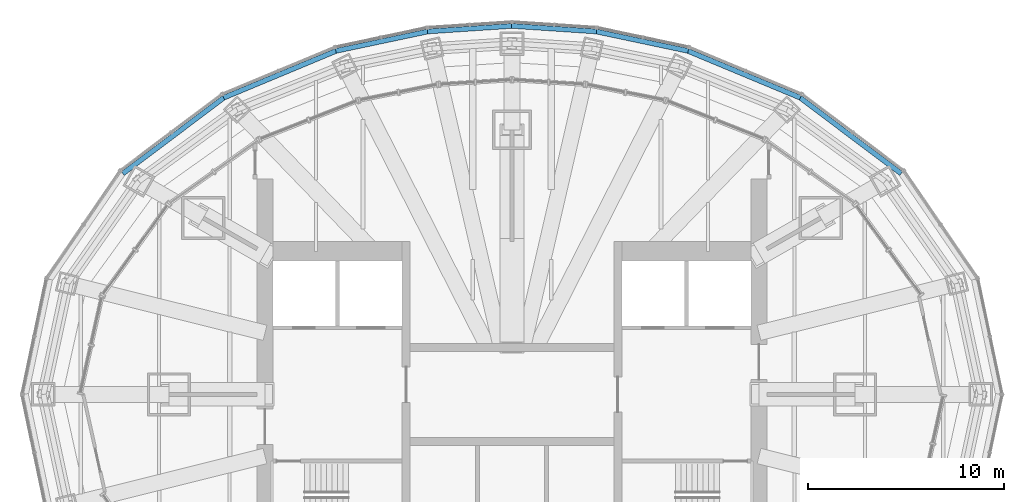
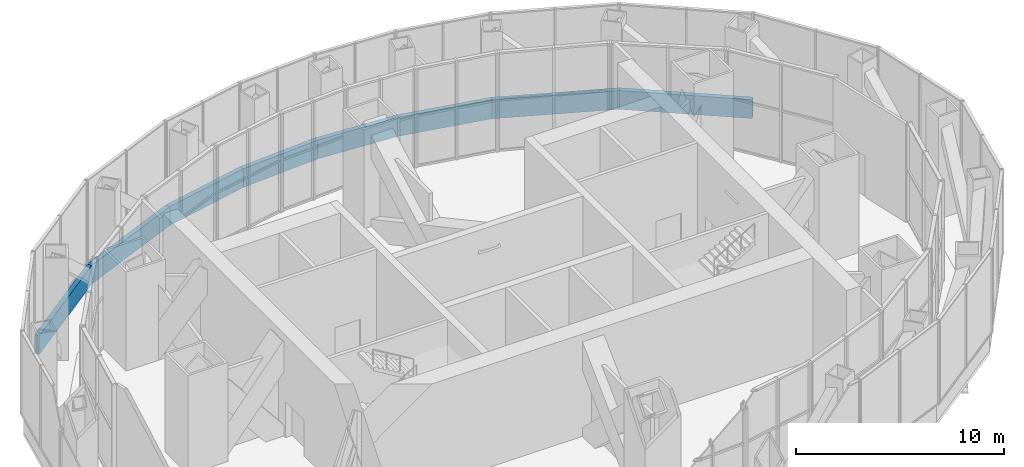
# One storey, part 17 of 21: 8 walls.
"""IFC4 building model written with IfcOpenShell, lengths in metres."""

from ifc_helpers import new_model, si_unit, direction, frame, frame_2d, origin, place, context, subcontext, project, spatial, rectangle, extrude, material, layer, layer_set, type_object, element, save


model = new_model("IFC4")

# Units and contexts
model_context = context("Model", 3, precision=1e-05, world=origin(), true_north=direction((0.0, 1.0)))
body_context = subcontext(model_context, "Body", "Model", "MODEL_VIEW")
ifc_project = project(units=[si_unit("LENGTHUNIT", "METRE"), si_unit("AREAUNIT", "SQUARE_METRE"), si_unit("VOLUMEUNIT", "CUBIC_METRE"), si_unit("PLANEANGLEUNIT", "RADIAN"), si_unit("MASSUNIT", "GRAM", prefix="KILO")], contexts=[model_context])

# Site, building, storey
site_placement = place(None, origin())
site = spatial("IfcSite", under=ifc_project, at=site_placement, CompositionType="ELEMENT")
building_placement = place(site_placement, origin())
building = spatial("IfcBuilding", under=site, at=building_placement, Name="Lantaw Convention Tower", CompositionType="ELEMENT")
storey_placement = place(building_placement, frame((0.0, 0.0, 284.39990234375)))
storey = spatial("IfcBuildingStorey", under=building, at=storey_placement, Name="L66", CompositionType="ELEMENT", Elevation=284.39990234375)

# Walls
ifc_material = material(Name="Concrete C35/45 with aluminium coping", Category="concrete")
ifc_layer = layer(ifc_material, 0.25)
ifc_layer_set = layer_set([ifc_layer], Name="Parapet 250")
wall_type = type_object("IfcWallType", Name="Parapet 250", PredefinedType="PARAPET", material=ifc_layer_set)
wall_1_placement = place(storey_placement, frame((19.8515625, 11.26611328125, 0.0), z_axis=(0.0, 0.0, 1.0), x_axis=(-0.799529087679, 0.600627370301, 0.0)))
element("IfcWall", 1, at=wall_1_placement, inside=storey, type_object=wall_type, Name="Ledge parapet", PredefinedType="PARAPET", context=body_context, shape_type="SweptSolid", body=[
    extrude(rectangle(XDim=6.4736328125, YDim=0.25, at=frame_2d((3.23681640625, 0.0))), origin(), (0.0, 0.0, 1.0), 1.10009765625),
])
wall_2_placement = place(storey_placement, frame((14.710205078125, 15.134765625, 0.0), z_axis=(0.0, 0.0, 1.0), x_axis=(-0.923135945789, 0.384473699481, 0.0)))
element("IfcWall", 2, at=wall_2_placement, inside=storey, type_object=wall_type, Name="Ledge parapet", PredefinedType="PARAPET", context=body_context, shape_type="SweptSolid", body=[
    extrude(rectangle(XDim=6.240234375, YDim=0.25, at=frame_2d((3.1201171875, 0.0))), origin(), (0.0, 0.0, 1.0), 1.10009765625),
])
wall_3_placement = place(storey_placement, frame((8.987548828125, 17.52197265625, 0.0), z_axis=(0.0, 0.0, 1.0), x_axis=(-0.978335298676, 0.207026673074, 0.0)))
element("IfcWall", 3, at=wall_3_placement, inside=storey, type_object=wall_type, Name="Ledge parapet", PredefinedType="PARAPET", context=body_context, shape_type="SweptSolid", body=[
    extrude(rectangle(XDim=4.818603515625, YDim=0.25, at=frame_2d((2.4091796875, 0.0))), origin(), (0.0, 0.0, 1.0), 1.10009765625),
])
for number, where, z_axis, x_axis, name in (
    (4, (4.31298828125, 18.51416015625, 0.0), (0.0, 0.0, 1.0), (-0.997819354924, 0.066004052439, 0.0), "Ledge parapet"),
    (5, (0.02001953125, 18.80078125, 0.0), (0.0, 0.0, 1.0), (-0.997819354924, -0.066004052439, 0.0), "Ledge parapet"),
):
    element("IfcWall", number, at=place(storey_placement, frame(where, z_axis=z_axis, x_axis=x_axis)), inside=storey, type_object=wall_type, Name=name, PredefinedType="PARAPET", context=body_context, shape_type="SweptSolid", body=[
        extrude(rectangle(XDim=4.342529296875, YDim=0.25, at=frame_2d((2.17138671875, 0.0))), origin(), (0.0, 0.0, 1.0), 1.10009765625),
    ])
wall_4_placement = place(storey_placement, frame((-4.2734375, 18.51953125, 0.0), z_axis=(0.0, 0.0, 1.0), x_axis=(-0.978335298676, -0.207026673074, 0.0)))
element("IfcWall", 6, at=wall_4_placement, inside=storey, type_object=wall_type, Name="Ledge parapet", PredefinedType="PARAPET", context=body_context, shape_type="SweptSolid", body=[
    extrude(rectangle(XDim=4.818603515625, YDim=0.25, at=frame_2d((2.4091796875, 0.0))), origin(), (0.0, 0.0, 1.0), 1.10009765625),
])
wall_5_placement = place(storey_placement, frame((-8.94970703125, 17.533935546875, 0.0), z_axis=(0.0, 0.0, 1.0), x_axis=(-0.923135945789, -0.384473699481, 0.0)))
element("IfcWall", 7, at=wall_5_placement, inside=storey, type_object=wall_type, Name="Ledge parapet", PredefinedType="PARAPET", context=body_context, shape_type="SweptSolid", body=[
    extrude(rectangle(XDim=6.240234375, YDim=0.25, at=frame_2d((3.1201171875, 0.0))), origin(), (0.0, 0.0, 1.0), 1.10009765625),
])
wall_6_placement = place(storey_placement, frame((-14.67578125, 15.154296875, 0.0), z_axis=(0.0, 0.0, 1.0), x_axis=(-0.799529087679, -0.600627370301, 0.0)))
element("IfcWall", 8, at=wall_6_placement, inside=storey, type_object=wall_type, Name="Ledge parapet", PredefinedType="PARAPET", context=body_context, shape_type="SweptSolid", body=[
    extrude(rectangle(XDim=6.4736328125, YDim=0.25, at=frame_2d((3.23681640625, 0.0))), origin(), (0.0, 0.0, 1.0), 1.10009765625),
])

save(model, "model.ifc")
